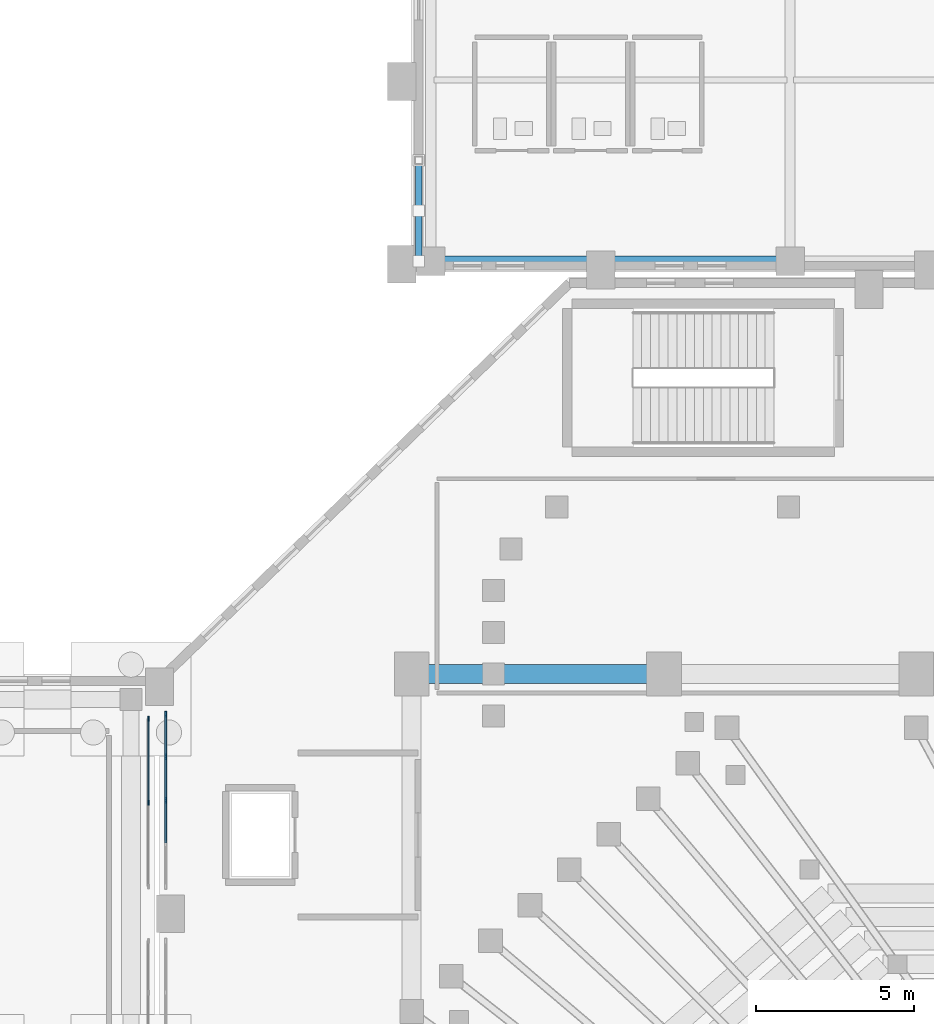
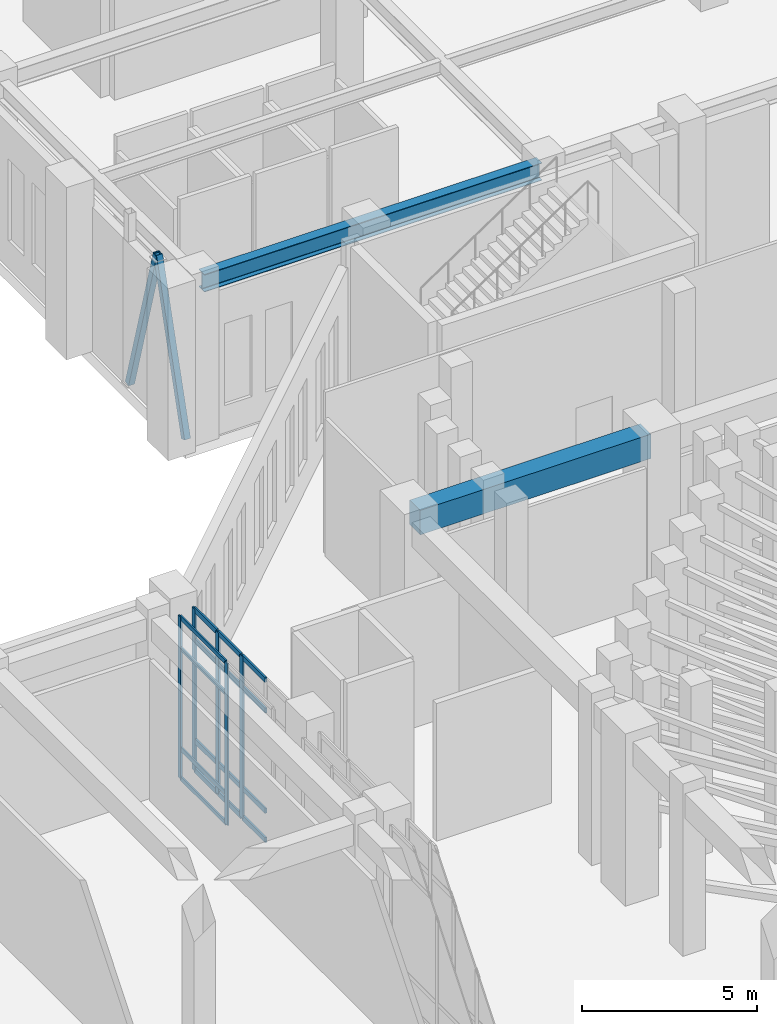
# One storey, part 46 of 143: 23 members, 2 beams, 2 elements without a shape of their own.
"""IFC4 building model written with IfcOpenShell, lengths in metres."""

from ifc_helpers import new_model, si_unit, derived_unit, direction, frame, origin, origin_2d, place, context, subcontext, project, spatial, rectangle, hollow_rectangle, i_section, extrude, material, layer, layer_set, material_profile, profile_set, type_object, element, aggregate, save


model = new_model("IFC4")

# Units and contexts
model_context = context("Model", 3, precision=1e-05, world=origin(), true_north=direction((0.0, 1.0)))
body_context = subcontext(model_context, "Body", "Model", "MODEL_VIEW")
ifc_project = project(units=[si_unit("LENGTHUNIT", "METRE"), si_unit("AREAUNIT", "SQUARE_METRE"), si_unit("VOLUMEUNIT", "CUBIC_METRE"), si_unit("PLANEANGLEUNIT", "RADIAN"), si_unit("MASSUNIT", "GRAM", prefix="KILO"), derived_unit("THERMALTRANSMITTANCEUNIT", [(si_unit("MASSUNIT", "GRAM", prefix="KILO"), 1), (si_unit("TIMEUNIT", "SECOND"), -3), (si_unit("THERMODYNAMICTEMPERATUREUNIT", "KELVIN"), -1)])], contexts=[model_context])

# Site, building, storey
site_placement = place(None, origin())
site = spatial("IfcSite", under=ifc_project, at=site_placement, CompositionType="ELEMENT")
building_placement = place(site_placement, origin())
building = spatial("IfcBuilding", under=site, at=building_placement, Name="Valcora Ridge Arena", CompositionType="ELEMENT")
storey_placement = place(building_placement, origin())
storey = spatial("IfcBuildingStorey", under=building, at=storey_placement, Name="L00", CompositionType="ELEMENT", Elevation=0.0)

# Beams
ifc_material_1 = material(Name="Concrete C40/50", Category="concrete")
ifc_material_profile_1 = material_profile(ifc_material_1, rectangle(XDim=0.60009765625, YDim=0.85009765625, at=origin_2d()), Name="RC 600x850")
ifc_profile_set_1 = profile_set([ifc_material_profile_1], Name="Concrete C40/50")
beam_type_1 = type_object("IfcBeamType", Name="TY-BEAM-EB-RC600", PredefinedType="BEAM", material=ifc_profile_set_1)
beam_1_placement = place(storey_placement, frame((24.199951171875, 95.60009765625, 5.215087890625), z_axis=(1.0, 0.0, 0.0), x_axis=(0.0, 1.0, 0.0)))
element("IfcBeam", 1, at=beam_1_placement, inside=storey, type_object=beam_type_1, Name="EB-RC600 BEM-EB-RC600-0009", PredefinedType="BEAM", context=body_context, shape_type="SweptSolid", body=[
    extrude(rectangle(XDim=0.60009765625, YDim=0.85009765625, at=origin_2d()), origin(), (0.0, 0.0, 1.0), 7.60009765625),
])
ifc_material_2 = material(Name="Steel ASTM A572 Grade 50", Category="steel")
ifc_material_profile_2 = material_profile(ifc_material_2, i_section(OverallWidth=0.324951171875, OverallDepth=0.612060546875, WebThickness=0.0126953125, FlangeThickness=0.01904296875, FilletRadius=0.01806640625, at=origin_2d()), Name="W24X104")
ifc_profile_set_2 = profile_set([ifc_material_profile_2], Name="Steel ASTM A572 Grade 50")
beam_type_2 = type_object("IfcBeamType", Name="TY-BEAM-G-W24X104-X", PredefinedType="BEAM", material=ifc_profile_set_2)
beam_2_placement = place(storey_placement, frame((24.739990234375, 108.699951171875, 5.333984375), z_axis=(1.0, 0.0, 0.0), x_axis=(0.0, 1.0, 0.0)))
element("IfcBeam", 2, at=beam_2_placement, inside=storey, type_object=beam_type_2, Name="G-W24X104-X BEM-G-W24X104-X-0004", PredefinedType="BEAM", context=body_context, shape_type="SweptSolid", body=[
    extrude(i_section(OverallWidth=0.324951171875, OverallDepth=0.612060546875, WebThickness=0.0126953125, FlangeThickness=0.01904296875, FilletRadius=0.01806640625, at=origin_2d()), origin(), (0.0, 0.0, 1.0), 11.1201171875),
])

# Curtain wall, members
ifc_material_3 = material(Name="Anodised dark bronze architectural aluminium 6063-T6", Category="aluminium")
ifc_layer_1 = layer(ifc_material_3, 0.14990234375, Name="Anodised dark bronze architectural aluminium 6063-T6")
ifc_layer_set_1 = layer_set([ifc_layer_1], Name="Anodised dark bronze architectural aluminium 6063-T6")
curtain_wall_type_1 = type_object("IfcCurtainWallType", Name="TY-CURTAINWALL-CW-V4-CLUB-054X56", PredefinedType="NOTDEFINED", material=ifc_layer_set_1)
curtain_wall_1_placement = place(storey_placement, origin())
curtain_wall_1 = element("IfcCurtainWall", 3, at=curtain_wall_1_placement, inside=storey, type_object=curtain_wall_type_1, Name="CW-V4-CLUB-054X56 CW-0203", PredefinedType="NOTDEFINED")
ifc_material_profile_3 = material_profile(ifc_material_3, rectangle(XDim=0.050048828125, YDim=0.14990234375, at=origin_2d()), Name="ALU MULLION 50x150")
ifc_profile_set_3 = profile_set([ifc_material_profile_3], Name="Anodised dark bronze architectural aluminium 6063-T6")
member_type_1 = type_object("IfcMemberType", Name="TY-MEM-CWM-50x150", PredefinedType="MULLION", material=ifc_profile_set_3)
member_1_placement = place(storey_placement, frame((15.64990234375, 91.52490234375, 0.0), z_axis=(0.0, 0.0, 1.0), x_axis=(-1.0, 0.0, 0.0)))
member_1 = element("IfcMember", 4, at=member_1_placement, type_object=member_type_1, Name="CW-0203/CWM-50x150/M01", PredefinedType="MULLION", context=body_context, shape_type="SweptSolid", body=[
    extrude(rectangle(XDim=0.050048828125, YDim=0.14990234375, at=origin_2d()), origin(), (0.0, 0.0, 1.0), 5.639892578125),
])
member_2_placement = place(storey_placement, frame((15.64990234375, 94.18505859375, 0.0), z_axis=(0.0, 0.0, 1.0), x_axis=(-1.0, 0.0, 0.0)))
member_2 = element("IfcMember", 5, at=member_2_placement, type_object=member_type_1, Name="CW-0203/CWM-50x150/M02", PredefinedType="MULLION", context=body_context, shape_type="SweptSolid", body=[
    extrude(rectangle(XDim=0.050048828125, YDim=0.14990234375, at=origin_2d()), origin(), (0.0, 0.0, 1.0), 5.639892578125),
])

ifc_layer_2 = layer(ifc_material_3, 0.179931640625, Name="Anodised dark bronze architectural aluminium 6063-T6")
ifc_layer_set_2 = layer_set([ifc_layer_2], Name="Anodised dark bronze architectural aluminium 6063-T6")
curtain_wall_type_2 = type_object("IfcCurtainWallType", Name="TY-CURTAINWALL-CW-V1-GOTH-055X56", PredefinedType="NOTDEFINED", material=ifc_layer_set_2)
curtain_wall_2_placement = place(storey_placement, origin())
curtain_wall_2 = element("IfcCurtainWall", 6, at=curtain_wall_2_placement, inside=storey, type_object=curtain_wall_type_2, Name="CW-V1-GOTH-055X56 CW-0087", PredefinedType="NOTDEFINED")
ifc_material_profile_4 = material_profile(ifc_material_3, rectangle(XDim=0.06005859375, YDim=0.179931640625, at=origin_2d()), Name="ALU MULLION 60x180")
ifc_profile_set_4 = profile_set([ifc_material_profile_4], Name="Anodised dark bronze architectural aluminium 6063-T6")
member_type_2 = type_object("IfcMemberType", Name="TY-MEM-CWM-60x180", PredefinedType="MULLION", material=ifc_profile_set_4)
member_3_placement = place(storey_placement, frame((16.199951171875, 91.60009765625, 0.0), z_axis=(0.0, 0.0, 1.0), x_axis=(-1.0, 0.0, 0.0)))
member_3 = element("IfcMember", 7, at=member_3_placement, type_object=member_type_2, Name="CW-0087/CWM-60x180/M02", PredefinedType="MULLION", context=body_context, shape_type="SweptSolid", body=[
    extrude(rectangle(XDim=0.06005859375, YDim=0.179931640625, at=origin_2d()), origin(), (0.0, 0.0, 1.0), 5.639892578125),
])
member_4_placement = place(storey_placement, frame((16.199951171875, 92.97998046875, 0.0), z_axis=(0.0, 0.0, 1.0), x_axis=(-1.0, 0.0, 0.0)))
member_4 = element("IfcMember", 8, at=member_4_placement, type_object=member_type_2, Name="CW-0087/CWM-60x180/M03", PredefinedType="MULLION", context=body_context, shape_type="SweptSolid", body=[
    extrude(rectangle(XDim=0.06005859375, YDim=0.179931640625, at=origin_2d()), origin(), (0.0, 0.0, 1.0), 5.639892578125),
])
member_5_placement = place(storey_placement, frame((16.199951171875, 94.330078125, 0.0), z_axis=(0.0, 0.0, 1.0), x_axis=(-1.0, 0.0, 0.0)))
member_5 = element("IfcMember", 9, at=member_5_placement, type_object=member_type_2, Name="CW-0087/CWM-60x180/M04", PredefinedType="MULLION", context=body_context, shape_type="SweptSolid", body=[
    extrude(rectangle(XDim=0.06005859375, YDim=0.179931640625, at=origin_2d()), origin(), (0.0, 0.0, 1.0), 5.639892578125),
])

# Member
ifc_material_profile_5 = material_profile(ifc_material_3, rectangle(XDim=0.050048828125, YDim=0.14990234375, at=origin_2d()), Name="ALU TRANSOM 50x150")
ifc_profile_set_5 = profile_set([ifc_material_profile_5], Name="Anodised dark bronze architectural aluminium 6063-T6")
member_type_3 = type_object("IfcMemberType", Name="TY-MEM-CWT-50x150", PredefinedType="USERDEFINED", material=ifc_profile_set_5)
member_6_placement = place(storey_placement, frame((15.64990234375, 91.550048828125, 0.02490234375), z_axis=(0.0, 1.0, 0.0), x_axis=(-1.0, 0.0, 0.0)))
member_6 = element("IfcMember", 10, at=member_6_placement, type_object=member_type_3, Name="CW-0203/CWT-50x150/T01-00", ObjectType="TRANSOM", PredefinedType="USERDEFINED", context=body_context, shape_type="SweptSolid", body=[
    extrude(rectangle(XDim=0.050048828125, YDim=0.14990234375, at=origin_2d()), origin(), (0.0, 0.0, 1.0), 2.60986328125),
])

member_7_placement = place(storey_placement, frame((15.64990234375, 91.550048828125, 1.050048828125), z_axis=(0.0, 1.0, 0.0), x_axis=(-1.0, 0.0, 0.0)))
member_7 = element("IfcMember", 11, at=member_7_placement, type_object=member_type_3, Name="CW-0203/CWT-50x150/T01-01", ObjectType="TRANSOM", PredefinedType="USERDEFINED", context=body_context, shape_type="SweptSolid", body=[
    extrude(rectangle(XDim=0.050048828125, YDim=0.14990234375, at=origin_2d()), origin(), (0.0, 0.0, 1.0), 2.60986328125),
])

member_8_placement = place(storey_placement, frame((15.64990234375, 91.550048828125, 4.5400390625), z_axis=(0.0, 1.0, 0.0), x_axis=(-1.0, 0.0, 0.0)))
member_8 = element("IfcMember", 12, at=member_8_placement, type_object=member_type_3, Name="CW-0203/CWT-50x150/T01-02", ObjectType="TRANSOM", PredefinedType="USERDEFINED", context=body_context, shape_type="SweptSolid", body=[
    extrude(rectangle(XDim=0.050048828125, YDim=0.14990234375, at=origin_2d()), origin(), (0.0, 0.0, 1.0), 2.60986328125),
])

member_9_placement = place(storey_placement, frame((15.64990234375, 91.550048828125, 5.614990234375), z_axis=(0.0, 1.0, 0.0), x_axis=(-1.0, 0.0, 0.0)))
member_9 = element("IfcMember", 13, at=member_9_placement, type_object=member_type_3, Name="CW-0203/CWT-50x150/T01-03", ObjectType="TRANSOM", PredefinedType="USERDEFINED", context=body_context, shape_type="SweptSolid", body=[
    extrude(rectangle(XDim=0.050048828125, YDim=0.14990234375, at=origin_2d()), origin(), (0.0, 0.0, 1.0), 2.60986328125),
])

aggregate(curtain_wall_1, [member_1, member_2, member_6, member_7, member_8, member_9])

ifc_material_profile_6 = material_profile(ifc_material_3, rectangle(XDim=0.06005859375, YDim=0.179931640625, at=origin_2d()), Name="ALU TRANSOM 60x180")
ifc_profile_set_6 = profile_set([ifc_material_profile_6], Name="Anodised dark bronze architectural aluminium 6063-T6")
member_type_4 = type_object("IfcMemberType", Name="TY-MEM-CWT-60x180", PredefinedType="USERDEFINED", material=ifc_profile_set_6)
member_10_placement = place(storey_placement, frame((16.199951171875, 90.25, 0.030029296875), z_axis=(0.0, 1.0, 0.0), x_axis=(-1.0, 0.0, 0.0)))
member_10 = element("IfcMember", 14, at=member_10_placement, type_object=member_type_4, Name="CW-0087/CWT-60x180/T01-00", ObjectType="TRANSOM", PredefinedType="USERDEFINED", context=body_context, shape_type="SweptSolid", body=[
    extrude(rectangle(XDim=0.06005859375, YDim=0.179931640625, at=origin_2d()), origin(), (0.0, 0.0, 1.0), 1.320068359375),
])

member_11_placement = place(storey_placement, frame((16.199951171875, 90.25, 1.050048828125), z_axis=(0.0, 1.0, 0.0), x_axis=(-1.0, 0.0, 0.0)))
member_11 = element("IfcMember", 15, at=member_11_placement, type_object=member_type_4, Name="CW-0087/CWT-60x180/T01-01", ObjectType="TRANSOM", PredefinedType="USERDEFINED", context=body_context, shape_type="SweptSolid", body=[
    extrude(rectangle(XDim=0.06005859375, YDim=0.179931640625, at=origin_2d()), origin(), (0.0, 0.0, 1.0), 1.320068359375),
])

member_12_placement = place(storey_placement, frame((16.199951171875, 90.25, 4.5400390625), z_axis=(0.0, 1.0, 0.0), x_axis=(-1.0, 0.0, 0.0)))
member_12 = element("IfcMember", 16, at=member_12_placement, type_object=member_type_4, Name="CW-0087/CWT-60x180/T01-02", ObjectType="TRANSOM", PredefinedType="USERDEFINED", context=body_context, shape_type="SweptSolid", body=[
    extrude(rectangle(XDim=0.06005859375, YDim=0.179931640625, at=origin_2d()), origin(), (0.0, 0.0, 1.0), 1.320068359375),
])

member_13_placement = place(storey_placement, frame((16.199951171875, 90.25, 5.610107421875), z_axis=(0.0, 1.0, 0.0), x_axis=(-1.0, 0.0, 0.0)))
member_13 = element("IfcMember", 17, at=member_13_placement, type_object=member_type_4, Name="CW-0087/CWT-60x180/T01-03", ObjectType="TRANSOM", PredefinedType="USERDEFINED", context=body_context, shape_type="SweptSolid", body=[
    extrude(rectangle(XDim=0.06005859375, YDim=0.179931640625, at=origin_2d()), origin(), (0.0, 0.0, 1.0), 1.320068359375),
])

member_14_placement = place(storey_placement, frame((16.199951171875, 91.6298828125, 0.030029296875), z_axis=(0.0, 1.0, 0.0), x_axis=(-1.0, 0.0, 0.0)))
member_14 = element("IfcMember", 18, at=member_14_placement, type_object=member_type_4, Name="CW-0087/CWT-60x180/T02-00", ObjectType="TRANSOM", PredefinedType="USERDEFINED", context=body_context, shape_type="SweptSolid", body=[
    extrude(rectangle(XDim=0.06005859375, YDim=0.179931640625, at=origin_2d()), origin(), (0.0, 0.0, 1.0), 1.320068359375),
])

member_15_placement = place(storey_placement, frame((16.199951171875, 91.6298828125, 1.050048828125), z_axis=(0.0, 1.0, 0.0), x_axis=(-1.0, 0.0, 0.0)))
member_15 = element("IfcMember", 19, at=member_15_placement, type_object=member_type_4, Name="CW-0087/CWT-60x180/T02-01", ObjectType="TRANSOM", PredefinedType="USERDEFINED", context=body_context, shape_type="SweptSolid", body=[
    extrude(rectangle(XDim=0.06005859375, YDim=0.179931640625, at=origin_2d()), origin(), (0.0, 0.0, 1.0), 1.320068359375),
])

member_16_placement = place(storey_placement, frame((16.199951171875, 91.6298828125, 4.5400390625), z_axis=(0.0, 1.0, 0.0), x_axis=(-1.0, 0.0, 0.0)))
member_16 = element("IfcMember", 20, at=member_16_placement, type_object=member_type_4, Name="CW-0087/CWT-60x180/T02-02", ObjectType="TRANSOM", PredefinedType="USERDEFINED", context=body_context, shape_type="SweptSolid", body=[
    extrude(rectangle(XDim=0.06005859375, YDim=0.179931640625, at=origin_2d()), origin(), (0.0, 0.0, 1.0), 1.320068359375),
])

member_17_placement = place(storey_placement, frame((16.199951171875, 91.6298828125, 5.610107421875), z_axis=(0.0, 1.0, 0.0), x_axis=(-1.0, 0.0, 0.0)))
member_17 = element("IfcMember", 21, at=member_17_placement, type_object=member_type_4, Name="CW-0087/CWT-60x180/T02-03", ObjectType="TRANSOM", PredefinedType="USERDEFINED", context=body_context, shape_type="SweptSolid", body=[
    extrude(rectangle(XDim=0.06005859375, YDim=0.179931640625, at=origin_2d()), origin(), (0.0, 0.0, 1.0), 1.320068359375),
])

member_18_placement = place(storey_placement, frame((16.199951171875, 93.010009765625, 0.030029296875), z_axis=(0.0, 1.0, 0.0), x_axis=(-1.0, 0.0, 0.0)))
member_18 = element("IfcMember", 22, at=member_18_placement, type_object=member_type_4, Name="CW-0087/CWT-60x180/T03-00", ObjectType="TRANSOM", PredefinedType="USERDEFINED", context=body_context, shape_type="SweptSolid", body=[
    extrude(rectangle(XDim=0.06005859375, YDim=0.179931640625, at=origin_2d()), origin(), (0.0, 0.0, 1.0), 1.2900390625),
])

member_19_placement = place(storey_placement, frame((16.199951171875, 93.010009765625, 1.050048828125), z_axis=(0.0, 1.0, 0.0), x_axis=(-1.0, 0.0, 0.0)))
member_19 = element("IfcMember", 23, at=member_19_placement, type_object=member_type_4, Name="CW-0087/CWT-60x180/T03-01", ObjectType="TRANSOM", PredefinedType="USERDEFINED", context=body_context, shape_type="SweptSolid", body=[
    extrude(rectangle(XDim=0.06005859375, YDim=0.179931640625, at=origin_2d()), origin(), (0.0, 0.0, 1.0), 1.2900390625),
])

member_20_placement = place(storey_placement, frame((16.199951171875, 93.010009765625, 4.5400390625), z_axis=(0.0, 1.0, 0.0), x_axis=(-1.0, 0.0, 0.0)))
member_20 = element("IfcMember", 24, at=member_20_placement, type_object=member_type_4, Name="CW-0087/CWT-60x180/T03-02", ObjectType="TRANSOM", PredefinedType="USERDEFINED", context=body_context, shape_type="SweptSolid", body=[
    extrude(rectangle(XDim=0.06005859375, YDim=0.179931640625, at=origin_2d()), origin(), (0.0, 0.0, 1.0), 1.2900390625),
])

member_21_placement = place(storey_placement, frame((16.199951171875, 93.010009765625, 5.610107421875), z_axis=(0.0, 1.0, 0.0), x_axis=(-1.0, 0.0, 0.0)))
member_21 = element("IfcMember", 25, at=member_21_placement, type_object=member_type_4, Name="CW-0087/CWT-60x180/T03-03", ObjectType="TRANSOM", PredefinedType="USERDEFINED", context=body_context, shape_type="SweptSolid", body=[
    extrude(rectangle(XDim=0.06005859375, YDim=0.179931640625, at=origin_2d()), origin(), (0.0, 0.0, 1.0), 1.2900390625),
])

aggregate(curtain_wall_2, [member_3, member_4, member_5, member_10, member_11, member_12, member_13, member_14, member_15, member_16, member_17, member_18, member_19, member_20, member_21])

# Members
ifc_material_4 = material(Name="Steel ASTM A500 Grade C", Category="steel")
ifc_material_profile_7 = material_profile(ifc_material_4, hollow_rectangle(XDim=0.199951171875, YDim=0.199951171875, WallThickness=0.012451171875, at=origin_2d()), Name="HSS200X200X12")
ifc_profile_set_7 = profile_set([ifc_material_profile_7], Name="Steel ASTM A500 Grade C")
member_type_5 = type_object("IfcMemberType", Name="TY-MEMBER-CBF-200A", PredefinedType="BRACE", material=ifc_profile_set_7)
member_22_placement = place(storey_placement, frame((24.219970703125, 108.699951171875, 0.02001953125), z_axis=(0.0, 0.281232282372, 0.95963972581), x_axis=(-1.0, 0.0, 0.0)))
element("IfcMember", 26, at=member_22_placement, inside=storey, type_object=member_type_5, Name="CBF-200A Diagonal Brace", PredefinedType="BRACE", context=body_context, shape_type="SweptSolid", body=[
    extrude(hollow_rectangle(XDim=0.199951171875, YDim=0.199951171875, WallThickness=0.012451171875, at=origin_2d()), origin(), (0.0, 0.0, 1.0), 5.689697265625),
])
ifc_material_profile_8 = material_profile(ifc_material_4, hollow_rectangle(XDim=0.199951171875, YDim=0.199951171875, WallThickness=0.012451171875, at=origin_2d()), Name="HSS200X200X12")
ifc_profile_set_8 = profile_set([ifc_material_profile_8], Name="Steel ASTM A500 Grade C")
member_type_6 = type_object("IfcMemberType", Name="TY-MEMBER-CBF-200B", PredefinedType="BRACE", material=ifc_profile_set_8)
member_23_placement = place(storey_placement, frame((24.219970703125, 111.89990234375, 0.02001953125), z_axis=(0.0, -0.281192765457, 0.959651305764), x_axis=(1.0, 0.0, 0.0)))
element("IfcMember", 27, at=member_23_placement, inside=storey, type_object=member_type_6, Name="CBF-200B Diagonal Brace", PredefinedType="BRACE", context=body_context, shape_type="SweptSolid", body=[
    extrude(hollow_rectangle(XDim=0.199951171875, YDim=0.199951171875, WallThickness=0.012451171875, at=origin_2d()), origin(), (0.0, 0.0, 1.0), 5.689453125),
])

save(model, "model.ifc")
